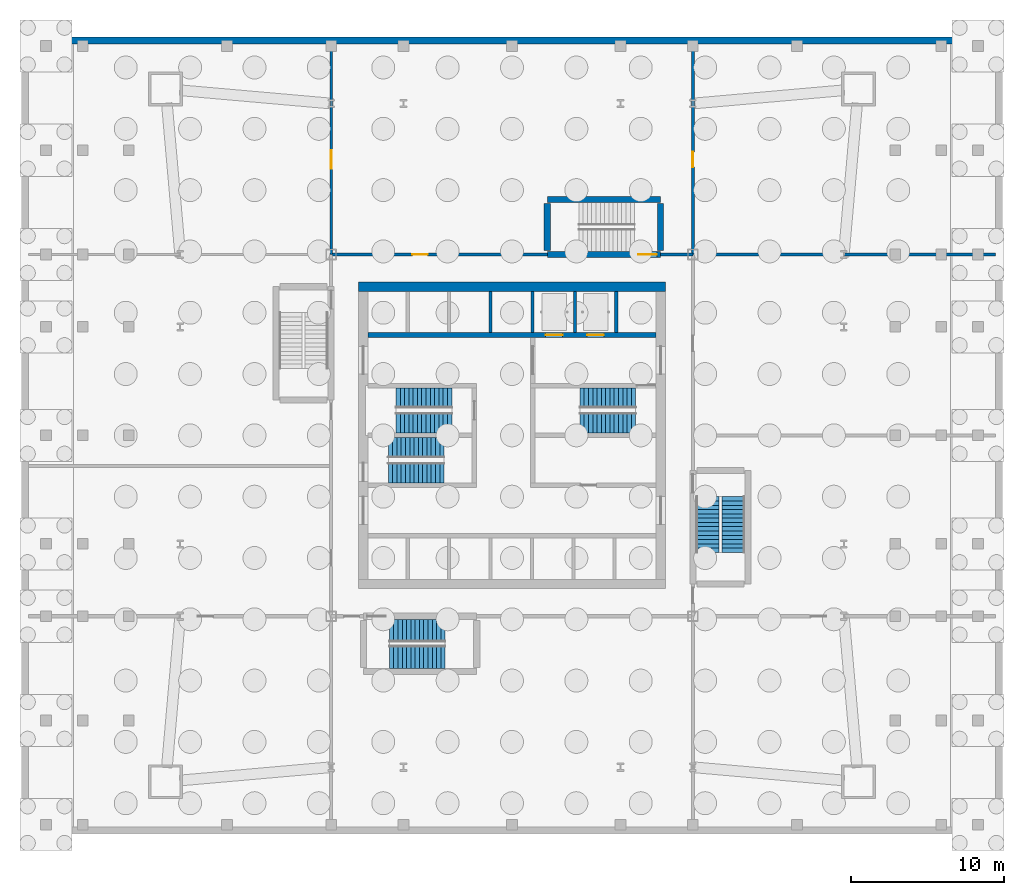
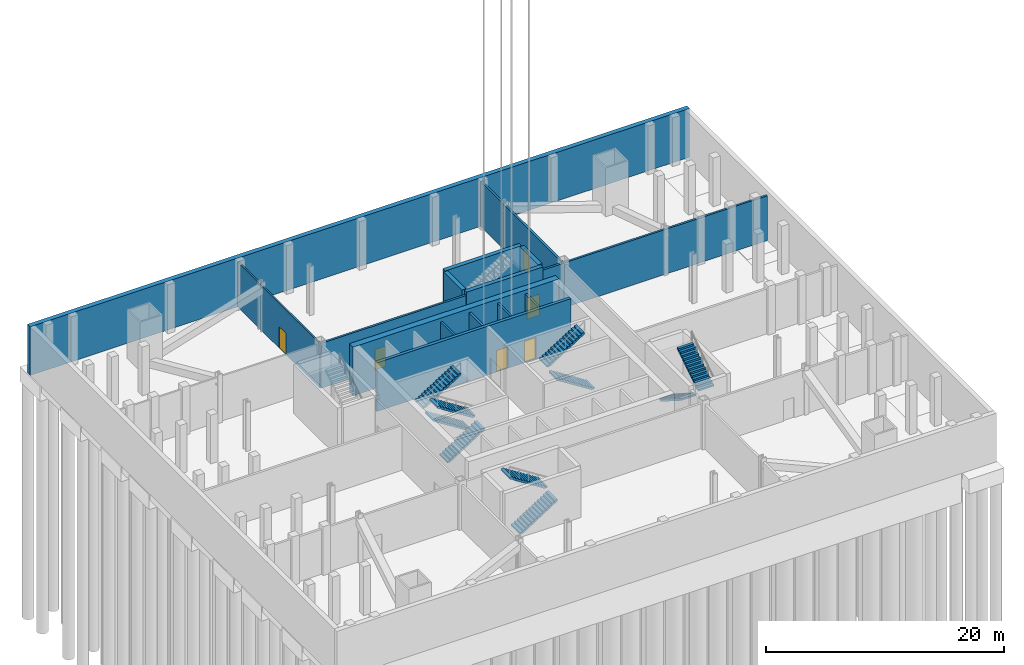
# One storey, part 4 of 8: 16 walls, 10 stair flights, 6 doors, 6 openings, 5 elements without a shape of their own.
"""IFC4 building model written with IfcOpenShell, lengths in metres."""

from ifc_helpers import new_model, si_unit, direction, frame, frame_2d, origin, place, context, subcontext, project, spatial, polyline, rectangle, outline, extrude, material, layer, layer_set, type_object, element, fill, aggregate, save


model = new_model("IFC4")

# Units and contexts
model_context = context("Model", 3, precision=1e-05, world=origin(), true_north=direction((0.0, 1.0)))
body_context = subcontext(model_context, "Body", "Model", "MODEL_VIEW")
ifc_project = project(units=[si_unit("LENGTHUNIT", "METRE"), si_unit("AREAUNIT", "SQUARE_METRE"), si_unit("VOLUMEUNIT", "CUBIC_METRE"), si_unit("PLANEANGLEUNIT", "RADIAN"), si_unit("MASSUNIT", "GRAM", prefix="KILO")], contexts=[model_context])

# Site, building, storey
site_placement = place(None, origin())
site = spatial("IfcSite", under=ifc_project, at=site_placement, CompositionType="ELEMENT")
building_placement = place(site_placement, origin())
building = spatial("IfcBuilding", under=site, at=building_placement, Name="Turquesa Mirador Hotel Tower", CompositionType="ELEMENT")
storey_placement = place(building_placement, frame((0.0, 0.0, -5.0)))
storey = spatial("IfcBuildingStorey", under=building, at=storey_placement, Name="B1", CompositionType="ELEMENT", Elevation=-5.0)

# Wall, openings, doors
ifc_material_1 = material(Name="Concrete C50/60", Category="concrete")
ifc_layer_1 = layer(ifc_material_1, 0.300048828125)
ifc_layer_set_1 = layer_set([ifc_layer_1], Name="CORE INNER WALL 300")
wall_type_1 = type_object("IfcWallType", Name="CORE INNER WALL 300", PredefinedType="SHEAR", material=ifc_layer_set_1)
wall_1_placement = place(storey_placement, frame((45.60009765625, 51.550048828125, 0.0), z_axis=(0.0, 0.0, 1.0), x_axis=(1.0, 0.0, 0.0)))
wall_1 = element("IfcWall", 1, at=wall_1_placement, inside=storey, type_object=wall_type_1, Name="Core wall NL", PredefinedType="SHEAR", context=body_context, shape_type="SweptSolid", body=[
    extrude(rectangle(XDim=18.7998046875, YDim=0.300048828125, at=frame_2d((9.39990234375, 0.0))), origin(), (0.0, 0.0, 1.0), 5.0),
])
opening_1_placement = place(wall_1_placement, frame((11.60009765625, 0.0, 0.0)))
opening_1 = element("IfcOpeningElement", 2, at=opening_1_placement, cuts=wall_1, Name="Opening LD", PredefinedType="OPENING", context=body_context, shape_type="SweptSolid", body=[
    extrude(rectangle(XDim=1.10009765625, YDim=2.199951171875, at=frame_2d((0.550048828125, 1.10009765625))), frame((0.0, 0.159912109375, 0.0), z_axis=(0.0, -1.0, 0.0), x_axis=(1.0, 0.0, 0.0)), (0.0, 0.0, 1.0), 0.320068359375),
])
opening_2_placement = place(wall_1_placement, frame((14.300048828125, 0.0, 0.0)))
opening_2 = element("IfcOpeningElement", 3, at=opening_2_placement, cuts=wall_1, Name="Opening LD", PredefinedType="OPENING", context=body_context, shape_type="SweptSolid", body=[
    extrude(rectangle(XDim=1.10009765625, YDim=2.199951171875, at=frame_2d((0.550048828125, 1.10009765625))), frame((0.0, 0.159912109375, 0.0), z_axis=(0.0, -1.0, 0.0), x_axis=(1.0, 0.0, 0.0)), (0.0, 0.0, 1.0), 0.320068359375),
])
ifc_material_2 = material(Name="Stainless steel lift landing door", Category="steel")
door_type_1 = type_object("IfcDoorType", Name="LIFT LANDING DOOR 1100X2200", OperationType="SLIDING_TO_LEFT", PredefinedType="DOOR", material=ifc_material_2)
door_1_placement = place(opening_1_placement, origin())
door_1 = element("IfcDoor", 4, at=door_1_placement, inside=storey, type_object=door_type_1, Name="Lift S1 landing door", OperationType="SLIDING_TO_LEFT", OverallHeight=2.199951171875, OverallWidth=1.10009765625, PredefinedType="DOOR", context=body_context, shape_type="SweptSolid", body=[
    extrude(rectangle(XDim=1.10009765625, YDim=2.199951171875, at=frame_2d((0.550048828125, 1.10009765625))), frame((0.0, 0.02490234375, 0.0), z_axis=(0.0, -1.0, 0.0), x_axis=(1.0, 0.0, 0.0)), (0.0, 0.0, 1.0), 0.050048828125),
])
fill(opening_1, door_1)
door_2_placement = place(opening_2_placement, origin())
door_2 = element("IfcDoor", 5, at=door_2_placement, inside=storey, type_object=door_type_1, Name="Lift S2 landing door", OperationType="SLIDING_TO_LEFT", OverallHeight=2.199951171875, OverallWidth=1.10009765625, PredefinedType="DOOR", context=body_context, shape_type="SweptSolid", body=[
    extrude(rectangle(XDim=1.10009765625, YDim=2.199951171875, at=frame_2d((0.550048828125, 1.10009765625))), frame((0.0, 0.02490234375, 0.0), z_axis=(0.0, -1.0, 0.0), x_axis=(1.0, 0.0, 0.0)), (0.0, 0.0, 1.0), 0.050048828125),
])
fill(opening_2, door_2)

# Wall
ifc_material_3 = material(Name="Concrete C50/60", Category="concrete")
ifc_layer_2 = layer(ifc_material_3, 0.60009765625)
ifc_layer_set_2 = layer_set([ifc_layer_2], Name="CORE WALL 600")
wall_type_2 = type_object("IfcWallType", Name="CORE WALL 600", PredefinedType="SHEAR", material=ifc_layer_set_2)
wall_2_placement = place(storey_placement, frame((45.0, 54.699951171875, 0.0), z_axis=(0.0, 0.0, 1.0), x_axis=(1.0, 0.0, 0.0)))
element("IfcWall", 6, at=wall_2_placement, inside=storey, type_object=wall_type_2, Name="Core wall N", PredefinedType="SHEAR", context=body_context, shape_type="SweptSolid", body=[
    extrude(rectangle(XDim=20.0, YDim=0.60009765625, at=frame_2d((10.0, 0.0))), origin(), (0.0, 0.0, 1.0), 5.0),
])

# Wall, opening, door
ifc_material_4 = material(Name="Fire-rated gypsum board on steel studs", Category="steel")
ifc_layer_3 = layer(ifc_material_4, 0.199951171875)
ifc_layer_set_3 = layer_set([ifc_layer_3], Name="CORRIDOR WALL 200")
wall_type_3 = type_object("IfcWallType", Name="CORRIDOR WALL 200", PredefinedType="PARTITIONING", material=ifc_layer_set_3)
wall_3_placement = place(storey_placement, frame((43.199951171875, 56.800048828125, 0.0), z_axis=(0.0, 0.0, 1.0), x_axis=(1.0, 0.0, 0.0)))
wall_3 = element("IfcWall", 7, at=wall_3_placement, inside=storey, type_object=wall_type_3, Name="Partition B1 011", PredefinedType="PARTITIONING", context=body_context, shape_type="SweptSolid", body=[
    extrude(rectangle(XDim=14.10009765625, YDim=0.199951171875, at=frame_2d((7.050048828125, 0.0))), origin(), (0.0, 0.0, 1.0), 4.60009765625),
])
opening_3_placement = place(wall_3_placement, frame((5.300048828125, 0.0, 0.0)))
opening_3 = element("IfcOpeningElement", 8, at=opening_3_placement, cuts=wall_3, Name="Opening D05", PredefinedType="OPENING", context=body_context, shape_type="SweptSolid", body=[
    extrude(rectangle(XDim=1.0, YDim=2.10009765625, at=frame_2d((0.5, 1.050048828125))), frame((0.0, 0.10986328125, 0.0), z_axis=(0.0, -1.0, 0.0), x_axis=(1.0, 0.0, 0.0)), (0.0, 0.0, 1.0), 0.219970703125),
])
ifc_material_5 = material(Name="Steel fire door", Category="steel")
door_type_2 = type_object("IfcDoorType", Name="DOOR 1000X2100 SERVICE", OperationType="SINGLE_SWING_LEFT", PredefinedType="DOOR", material=ifc_material_5)
door_3_placement = place(opening_3_placement, origin())
door_3 = element("IfcDoor", 9, at=door_3_placement, inside=storey, type_object=door_type_2, Name="Door B1-08", OperationType="SINGLE_SWING_LEFT", OverallHeight=2.10009765625, OverallWidth=1.0, PredefinedType="DOOR", context=body_context, shape_type="SweptSolid", body=[
    extrude(rectangle(XDim=1.0, YDim=2.10009765625, at=frame_2d((0.5, 1.050048828125))), frame((0.0, 0.02490234375, 0.0), z_axis=(0.0, -1.0, 0.0), x_axis=(1.0, 0.0, 0.0)), (0.0, 0.0, 1.0), 0.050048828125),
])
fill(opening_3, door_3)

# Walls
wall_4_placement = place(storey_placement, frame((64.699951171875, 56.800048828125, 0.0), z_axis=(0.0, 0.0, 1.0), x_axis=(1.0, 0.0, 0.0)))
element("IfcWall", 10, at=wall_4_placement, inside=storey, type_object=wall_type_3, Name="Partition B1 012", PredefinedType="PARTITIONING", context=body_context, shape_type="SweptSolid", body=[
    extrude(rectangle(XDim=2.10009765625, YDim=0.199951171875, at=frame_2d((1.050048828125, 0.0))), origin(), (0.0, 0.0, 1.0), 4.60009765625),
])
ifc_material_6 = material(Name="Fire-rated gypsum board on steel studs", Category="steel")
ifc_layer_4 = layer(ifc_material_6, 0.199951171875)
ifc_layer_set_4 = layer_set([ifc_layer_4], Name="FIRE PARTITION 200")
wall_type_4 = type_object("IfcWallType", Name="FIRE PARTITION 200", PredefinedType="PARTITIONING", material=ifc_layer_set_4)
wall_5_placement = place(storey_placement, frame((66.800048828125, 56.800048828125, 0.0), z_axis=(0.0, 0.0, 1.0), x_axis=(1.0, 0.0, 0.0)))
element("IfcWall", 11, at=wall_5_placement, inside=storey, type_object=wall_type_4, Name="Partition B1 013", PredefinedType="PARTITIONING", context=body_context, shape_type="SweptSolid", body=[
    extrude(rectangle(XDim=19.75, YDim=0.199951171875, at=frame_2d((9.875, 0.0))), origin(), (0.0, 0.0, 1.0), 4.60009765625),
])

# Wall, opening, door
wall_6_placement = place(storey_placement, frame((66.800048828125, 56.800048828125, 0.0), z_axis=(0.0, 0.0, 1.0), x_axis=(0.0, 1.0, 0.0)))
wall_6 = element("IfcWall", 12, at=wall_6_placement, inside=storey, type_object=wall_type_4, Name="Partition B1 030", PredefinedType="PARTITIONING", context=body_context, shape_type="SweptSolid", body=[
    extrude(rectangle(XDim=13.75, YDim=0.199951171875, at=frame_2d((6.875, 0.0))), origin(), (0.0, 0.0, 1.0), 4.60009765625),
])
opening_4_placement = place(wall_6_placement, frame((5.699951171875, 0.0, 0.0)))
opening_4 = element("IfcOpeningElement", 13, at=opening_4_placement, cuts=wall_6, Name="Opening D05", PredefinedType="OPENING", context=body_context, shape_type="SweptSolid", body=[
    extrude(rectangle(XDim=1.0, YDim=2.10009765625, at=frame_2d((0.5, 1.050048828125))), frame((0.0, 0.10986328125, 0.0), z_axis=(0.0, -1.0, 0.0), x_axis=(1.0, 0.0, 0.0)), (0.0, 0.0, 1.0), 0.219970703125),
])
door_4_placement = place(opening_4_placement, origin())
door_4 = element("IfcDoor", 14, at=door_4_placement, inside=storey, type_object=door_type_2, Name="Door B1-07", OperationType="SINGLE_SWING_LEFT", OverallHeight=2.10009765625, OverallWidth=1.0, PredefinedType="DOOR", context=body_context, shape_type="SweptSolid", body=[
    extrude(rectangle(XDim=1.0, YDim=2.10009765625, at=frame_2d((0.5, 1.050048828125))), frame((0.0, 0.02490234375, 0.0), z_axis=(0.0, -1.0, 0.0), x_axis=(1.0, 0.0, 0.0)), (0.0, 0.0, 1.0), 0.050048828125),
])
fill(opening_4, door_4)

# Walls
ifc_material_7 = material(Name="Fire-rated gypsum shaft wall on steel studs", Category="steel")
ifc_layer_5 = layer(ifc_material_7, 0.199951171875)
ifc_layer_set_5 = layer_set([ifc_layer_5], Name="LIFT SHAFT DIVIDER 200")
wall_type_5 = type_object("IfcWallType", Name="LIFT SHAFT DIVIDER 200", PredefinedType="PARTITIONING", material=ifc_layer_set_5)
for number, where, z_axis, x_axis, name in (
    (15, (53.60009765625, 51.699951171875, 0.0), (0.0, 0.0, 1.0), (0.0, 1.0, 0.0), "Lift shaft divider"),
    (16, (59.10009765625, 51.699951171875, 0.0), (0.0, 0.0, 1.0), (0.0, 1.0, 0.0), "Lift shaft divider"),
    (17, (61.800048828125, 51.699951171875, 0.0), (0.0, 0.0, 1.0), (0.0, 1.0, 0.0), "Lift shaft divider"),
    (18, (56.35009765625, 51.699951171875, 0.0), (0.0, 0.0, 1.0), (0.0, 1.0, 0.0), "Lift shaft divider"),
):
    element("IfcWall", number, at=place(storey_placement, frame(where, z_axis=z_axis, x_axis=x_axis)), inside=storey, type_object=wall_type_5, Name=name, PredefinedType="PARTITIONING", context=body_context, shape_type="SweptSolid", body=[
        extrude(rectangle(XDim=2.699951171875, YDim=0.199951171875, at=frame_2d((1.35009765625, 0.0))), origin(), (0.0, 0.0, 1.0), 4.60009765625),
    ])

# Wall, opening, door
ifc_material_8 = material(Name="Gypsum board on steel studs", Category="steel")
ifc_layer_6 = layer(ifc_material_8, 0.14990234375)
ifc_layer_set_6 = layer_set([ifc_layer_6], Name="PARTITION 150")
wall_type_6 = type_object("IfcWallType", Name="PARTITION 150", PredefinedType="PARTITIONING", material=ifc_layer_set_6)
wall_7_placement = place(storey_placement, frame((43.199951171875, 56.800048828125, 0.0), z_axis=(0.0, 0.0, 1.0), x_axis=(0.0, 1.0, 0.0)))
wall_7 = element("IfcWall", 19, at=wall_7_placement, inside=storey, type_object=wall_type_6, Name="Partition B1 022", PredefinedType="PARTITIONING", context=body_context, shape_type="SweptSolid", body=[
    extrude(rectangle(XDim=13.75, YDim=0.14990234375, at=frame_2d((6.875, 0.0))), origin(), (0.0, 0.0, 1.0), 4.60009765625),
])
opening_5_placement = place(wall_7_placement, frame((5.60009765625, 0.0, 0.0)))
opening_5 = element("IfcOpeningElement", 20, at=opening_5_placement, cuts=wall_7, Name="Opening D09", PredefinedType="OPENING", context=body_context, shape_type="SweptSolid", body=[
    extrude(rectangle(XDim=1.199951171875, YDim=2.199951171875, at=frame_2d((0.60009765625, 1.10009765625))), frame((0.0, 0.0849609375, 0.0), z_axis=(0.0, -1.0, 0.0), x_axis=(1.0, 0.0, 0.0)), (0.0, 0.0, 1.0), 0.169921875),
])
ifc_material_9 = material(Name="Timber door", Category="wood")
door_type_3 = type_object("IfcDoorType", Name="DOOR 1200X2200 OFFICE", OperationType="SINGLE_SWING_LEFT", PredefinedType="DOOR", material=ifc_material_9)
door_5_placement = place(opening_5_placement, origin())
door_5 = element("IfcDoor", 21, at=door_5_placement, inside=storey, type_object=door_type_3, Name="Door B1-09", OperationType="SINGLE_SWING_LEFT", OverallHeight=2.199951171875, OverallWidth=1.199951171875, PredefinedType="DOOR", context=body_context, shape_type="SweptSolid", body=[
    extrude(rectangle(XDim=1.199951171875, YDim=2.199951171875, at=frame_2d((0.60009765625, 1.10009765625))), frame((0.0, 0.02490234375, 0.0), z_axis=(0.0, -1.0, 0.0), x_axis=(1.0, 0.0, 0.0)), (0.0, 0.0, 1.0), 0.050048828125),
])
fill(opening_5, door_5)

# Wall
ifc_material_10 = material(Name="Concrete C50/60", Category="concrete")
ifc_layer_7 = layer(ifc_material_10, 0.449951171875)
ifc_layer_set_7 = layer_set([ifc_layer_7], Name="RETAINING WALL 450")
wall_type_7 = type_object("IfcWallType", Name="RETAINING WALL 450", PredefinedType="SOLIDWALL", material=ifc_layer_set_7)
wall_8_placement = place(storey_placement, frame((23.0, 70.77490234375, 0.0), z_axis=(0.0, 0.0, 1.0), x_axis=(1.0, 0.0, 0.0)))
element("IfcWall", 22, at=wall_8_placement, inside=storey, type_object=wall_type_7, Name="Basement retaining wall N", PredefinedType="SOLIDWALL", context=body_context, shape_type="SweptSolid", body=[
    extrude(rectangle(XDim=64.0, YDim=0.449951171875, at=frame_2d((32.0, 0.0))), origin(), (0.0, 0.0, 1.0), 5.0),
])

# Wall, opening, door
ifc_material_11 = material(Name="Concrete C50/60", Category="concrete")
ifc_layer_8 = layer(ifc_material_11, 0.39990234375)
ifc_layer_set_8 = layer_set([ifc_layer_8], Name="STAIR WALL 400")
wall_type_8 = type_object("IfcWallType", Name="STAIR WALL 400", PredefinedType="SHEAR", material=ifc_layer_set_8)
wall_9_placement = place(storey_placement, frame((57.300048828125, 56.800048828125, 0.0), z_axis=(0.0, 0.0, 1.0), x_axis=(1.0, 0.0, 0.0)))
wall_9 = element("IfcWall", 23, at=wall_9_placement, inside=storey, type_object=wall_type_8, Name="Stair wall B1 015", PredefinedType="SHEAR", context=body_context, shape_type="SweptSolid", body=[
    extrude(rectangle(XDim=7.39990234375, YDim=0.39990234375, at=frame_2d((3.699951171875, 0.0))), origin(), (0.0, 0.0, 1.0), 5.0),
])
opening_6_placement = place(wall_9_placement, frame((5.949951171875, 0.0, 0.0)))
opening_6 = element("IfcOpeningElement", 24, at=opening_6_placement, cuts=wall_9, Name="Opening D03", PredefinedType="OPENING", context=body_context, shape_type="SweptSolid", body=[
    extrude(rectangle(XDim=1.199951171875, YDim=2.199951171875, at=frame_2d((0.60009765625, 1.10009765625))), frame((0.0, 0.2099609375, 0.0), z_axis=(0.0, -1.0, 0.0), x_axis=(1.0, 0.0, 0.0)), (0.0, 0.0, 1.0), 0.419921875),
])
ifc_material_12 = material(Name="Steel fire door", Category="steel")
door_type_4 = type_object("IfcDoorType", Name="DOOR 1200X2200 STAIR", OperationType="SINGLE_SWING_LEFT", PredefinedType="DOOR", material=ifc_material_12)
door_6_placement = place(opening_6_placement, origin())
door_6 = element("IfcDoor", 25, at=door_6_placement, inside=storey, type_object=door_type_4, Name="Door B1-PS1", OperationType="SINGLE_SWING_LEFT", OverallHeight=2.199951171875, OverallWidth=1.199951171875, PredefinedType="DOOR", context=body_context, shape_type="SweptSolid", body=[
    extrude(rectangle(XDim=1.199951171875, YDim=2.199951171875, at=frame_2d((0.60009765625, 1.10009765625))), frame((0.0, 0.02490234375, 0.0), z_axis=(0.0, -1.0, 0.0), x_axis=(1.0, 0.0, 0.0)), (0.0, 0.0, 1.0), 0.050048828125),
])
fill(opening_6, door_6)

# Walls
wall_10_placement = place(storey_placement, frame((57.300048828125, 60.39990234375, 0.0), z_axis=(0.0, 0.0, 1.0), x_axis=(1.0, 0.0, 0.0)))
element("IfcWall", 26, at=wall_10_placement, inside=storey, type_object=wall_type_8, Name="Stair wall B1 016", PredefinedType="SHEAR", context=body_context, shape_type="SweptSolid", body=[
    extrude(rectangle(XDim=7.39990234375, YDim=0.39990234375, at=frame_2d((3.699951171875, 0.0))), origin(), (0.0, 0.0, 1.0), 5.0),
])
for number, where, z_axis, x_axis, name in (
    (27, (57.300048828125, 57.070068359375, 0.0), (0.0, 0.0, 1.0), (0.0, 1.0, 0.0), "Stair wall B1 033"),
    (28, (64.699951171875, 57.070068359375, 0.0), (0.0, 0.0, 1.0), (0.0, 1.0, 0.0), "Stair wall B1 034"),
):
    element("IfcWall", number, at=place(storey_placement, frame(where, z_axis=z_axis, x_axis=x_axis)), inside=storey, type_object=wall_type_8, Name=name, PredefinedType="SHEAR", context=body_context, shape_type="SweptSolid", body=[
        extrude(rectangle(XDim=3.059814453125, YDim=0.39990234375, at=frame_2d((1.52978515625, 0.0))), origin(), (0.0, 0.0, 1.0), 5.0),
    ])

# Stair, stair flights
ifc_material_13 = material(Name="Concrete C35/45", Category="concrete")
stair_type_1 = type_object("IfcStairType", Name="ESCAPE STAIR CORE", PredefinedType="HALF_TURN_STAIR", material=ifc_material_13)
stair_1_placement = place(storey_placement, origin())
stair_1 = element("IfcStair", 29, at=stair_1_placement, inside=storey, type_object=stair_type_1, Name="Stair ST1 B1 to L00", PredefinedType="HALF_TURN_STAIR")
ifc_material_14 = material(Name="Concrete C35/45 precast flight", Category="concrete")
stair_flight_type_1 = type_object("IfcStairFlightType", Name="STAIR FLIGHT 1330", PredefinedType="STRAIGHT", material=ifc_material_14)
stair_flight_1_placement = place(storey_placement, frame((51.070068359375, 45.81494140625, 0.0), z_axis=(0.0, 0.0, 1.0), x_axis=(-1.0, 0.0, 0.0)))
stair_flight_1 = element("IfcStairFlight", 30, at=stair_flight_1_placement, type_object=stair_flight_type_1, Name="ST1 flight 1", NumberOfRisers=14, NumberOfTreads=13, PredefinedType="STRAIGHT", RiserHeight=0.178571429, TreadLength=0.28, context=body_context, shape_type="SweptSolid", body=[
    extrude(outline(polyline([(0.0, 0.0), (0.0, 0.178466796875), (0.280029296875, 0.178466796875), (0.280029296875, 0.357177734375), (0.56005859375, 0.357177734375), (0.56005859375, 0.53564453125), (0.840087890625, 0.53564453125), (0.840087890625, 0.71435546875), (1.1201171875, 0.71435546875), (1.1201171875, 0.892822265625), (1.39990234375, 0.892822265625), (1.39990234375, 1.071533203125), (1.679931640625, 1.071533203125), (1.679931640625, 1.25), (1.9599609375, 1.25), (1.9599609375, 1.428466796875), (2.239990234375, 1.428466796875), (2.239990234375, 1.607177734375), (2.52001953125, 1.607177734375), (2.52001953125, 1.78564453125), (2.800048828125, 1.78564453125), (2.800048828125, 1.96435546875), (3.080078125, 1.96435546875), (3.080078125, 2.142822265625), (3.360107421875, 2.142822265625), (3.360107421875, 2.321533203125), (3.639892578125, 2.321533203125), (3.639892578125, 2.5), (3.639892578125, 2.1435546875), (0.27880859375, 0.0), (0.0, 0.0)])), frame((0.0, 0.6650390625, 0.0), z_axis=(0.0, -1.0, 0.0), x_axis=(1.0, 0.0, 0.0)), (0.0, 0.0, 1.0), 1.330078125),
])
stair_flight_2_placement = place(storey_placement, frame((47.429931640625, 47.43505859375, 2.5), z_axis=(0.0, 0.0, 1.0), x_axis=(1.0, 0.0, 0.0)))
stair_flight_2 = element("IfcStairFlight", 31, at=stair_flight_2_placement, type_object=stair_flight_type_1, Name="ST1 flight 2", NumberOfRisers=14, NumberOfTreads=13, PredefinedType="STRAIGHT", RiserHeight=0.178571429, TreadLength=0.28, context=body_context, shape_type="SweptSolid", body=[
    extrude(outline(polyline([(0.0, 0.0), (0.0, 0.178466796875), (0.280029296875, 0.178466796875), (0.280029296875, 0.357177734375), (0.56005859375, 0.357177734375), (0.56005859375, 0.53564453125), (0.840087890625, 0.53564453125), (0.840087890625, 0.71435546875), (1.1201171875, 0.71435546875), (1.1201171875, 0.892822265625), (1.39990234375, 0.892822265625), (1.39990234375, 1.071533203125), (1.679931640625, 1.071533203125), (1.679931640625, 1.25), (1.9599609375, 1.25), (1.9599609375, 1.428466796875), (2.239990234375, 1.428466796875), (2.239990234375, 1.607177734375), (2.52001953125, 1.607177734375), (2.52001953125, 1.78564453125), (2.800048828125, 1.78564453125), (2.800048828125, 1.96435546875), (3.080078125, 1.96435546875), (3.080078125, 2.142822265625), (3.360107421875, 2.142822265625), (3.360107421875, 2.321533203125), (3.639892578125, 2.321533203125), (3.639892578125, 2.5), (3.639892578125, 2.1435546875), (0.27880859375, 0.0), (0.0, 0.0)])), frame((0.0, 0.6650390625, 0.0), z_axis=(0.0, -1.0, 0.0), x_axis=(1.0, 0.0, 0.0)), (0.0, 0.0, 1.0), 1.330078125),
])
aggregate(stair_1, [stair_flight_1, stair_flight_2])

stair_2_placement = place(storey_placement, origin())
stair_2 = element("IfcStair", 32, at=stair_2_placement, inside=storey, type_object=stair_type_1, Name="Stair ST2 B1 to L00", PredefinedType="HALF_TURN_STAIR")
stair_flight_3_placement = place(storey_placement, frame((46.929931640625, 42.56494140625, 0.0), z_axis=(0.0, 0.0, 1.0), x_axis=(1.0, 0.0, 0.0)))
stair_flight_3 = element("IfcStairFlight", 33, at=stair_flight_3_placement, type_object=stair_flight_type_1, Name="ST2 flight 1", NumberOfRisers=14, NumberOfTreads=13, PredefinedType="STRAIGHT", RiserHeight=0.178571429, TreadLength=0.28, context=body_context, shape_type="SweptSolid", body=[
    extrude(outline(polyline([(0.0, 0.0), (0.0, 0.178466796875), (0.280029296875, 0.178466796875), (0.280029296875, 0.357177734375), (0.56005859375, 0.357177734375), (0.56005859375, 0.53564453125), (0.840087890625, 0.53564453125), (0.840087890625, 0.71435546875), (1.1201171875, 0.71435546875), (1.1201171875, 0.892822265625), (1.39990234375, 0.892822265625), (1.39990234375, 1.071533203125), (1.679931640625, 1.071533203125), (1.679931640625, 1.25), (1.9599609375, 1.25), (1.9599609375, 1.428466796875), (2.239990234375, 1.428466796875), (2.239990234375, 1.607177734375), (2.52001953125, 1.607177734375), (2.52001953125, 1.78564453125), (2.800048828125, 1.78564453125), (2.800048828125, 1.96435546875), (3.080078125, 1.96435546875), (3.080078125, 2.142822265625), (3.360107421875, 2.142822265625), (3.360107421875, 2.321533203125), (3.639892578125, 2.321533203125), (3.639892578125, 2.5), (3.639892578125, 2.1435546875), (0.27880859375, 0.0), (0.0, 0.0)])), frame((0.0, 0.6650390625, 0.0), z_axis=(0.0, -1.0, 0.0), x_axis=(1.0, 0.0, 0.0)), (0.0, 0.0, 1.0), 1.330078125),
])
stair_flight_4_placement = place(storey_placement, frame((50.570068359375, 44.18505859375, 2.5), z_axis=(0.0, 0.0, 1.0), x_axis=(-1.0, 0.0, 0.0)))
stair_flight_4 = element("IfcStairFlight", 34, at=stair_flight_4_placement, type_object=stair_flight_type_1, Name="ST2 flight 2", NumberOfRisers=14, NumberOfTreads=13, PredefinedType="STRAIGHT", RiserHeight=0.178571429, TreadLength=0.28, context=body_context, shape_type="SweptSolid", body=[
    extrude(outline(polyline([(0.0, 0.0), (0.0, 0.178466796875), (0.280029296875, 0.178466796875), (0.280029296875, 0.357177734375), (0.56005859375, 0.357177734375), (0.56005859375, 0.53564453125), (0.840087890625, 0.53564453125), (0.840087890625, 0.71435546875), (1.1201171875, 0.71435546875), (1.1201171875, 0.892822265625), (1.39990234375, 0.892822265625), (1.39990234375, 1.071533203125), (1.679931640625, 1.071533203125), (1.679931640625, 1.25), (1.9599609375, 1.25), (1.9599609375, 1.428466796875), (2.239990234375, 1.428466796875), (2.239990234375, 1.607177734375), (2.52001953125, 1.607177734375), (2.52001953125, 1.78564453125), (2.800048828125, 1.78564453125), (2.800048828125, 1.96435546875), (3.080078125, 1.96435546875), (3.080078125, 2.142822265625), (3.360107421875, 2.142822265625), (3.360107421875, 2.321533203125), (3.639892578125, 2.321533203125), (3.639892578125, 2.5), (3.639892578125, 2.1435546875), (0.27880859375, 0.0), (0.0, 0.0)])), frame((0.0, 0.6650390625, 0.0), z_axis=(0.0, -1.0, 0.0), x_axis=(1.0, 0.0, 0.0)), (0.0, 0.0, 1.0), 1.330078125),
])
aggregate(stair_2, [stair_flight_3, stair_flight_4])

stair_3_placement = place(storey_placement, origin())
stair_3 = element("IfcStair", 35, at=stair_3_placement, inside=storey, type_object=stair_type_1, Name="Stair ST3 B1 to L00", PredefinedType="HALF_TURN_STAIR")
stair_flight_5_placement = place(storey_placement, frame((63.070068359375, 45.81494140625, 0.0), z_axis=(0.0, 0.0, 1.0), x_axis=(-1.0, 0.0, 0.0)))
stair_flight_5 = element("IfcStairFlight", 36, at=stair_flight_5_placement, type_object=stair_flight_type_1, Name="ST3 flight 1", NumberOfRisers=14, NumberOfTreads=13, PredefinedType="STRAIGHT", RiserHeight=0.178571429, TreadLength=0.28, context=body_context, shape_type="SweptSolid", body=[
    extrude(outline(polyline([(0.0, 0.0), (0.0, 0.178466796875), (0.280029296875, 0.178466796875), (0.280029296875, 0.357177734375), (0.56005859375, 0.357177734375), (0.56005859375, 0.53564453125), (0.840087890625, 0.53564453125), (0.840087890625, 0.71435546875), (1.1201171875, 0.71435546875), (1.1201171875, 0.892822265625), (1.39990234375, 0.892822265625), (1.39990234375, 1.071533203125), (1.679931640625, 1.071533203125), (1.679931640625, 1.25), (1.9599609375, 1.25), (1.9599609375, 1.428466796875), (2.239990234375, 1.428466796875), (2.239990234375, 1.607177734375), (2.52001953125, 1.607177734375), (2.52001953125, 1.78564453125), (2.800048828125, 1.78564453125), (2.800048828125, 1.96435546875), (3.080078125, 1.96435546875), (3.080078125, 2.142822265625), (3.360107421875, 2.142822265625), (3.360107421875, 2.321533203125), (3.639892578125, 2.321533203125), (3.639892578125, 2.5), (3.639892578125, 2.1435546875), (0.27880859375, 0.0), (0.0, 0.0)])), frame((0.0, 0.6650390625, 0.0), z_axis=(0.0, -1.0, 0.0), x_axis=(1.0, 0.0, 0.0)), (0.0, 0.0, 1.0), 1.330078125),
])
stair_flight_6_placement = place(storey_placement, frame((59.429931640625, 47.43505859375, 2.5), z_axis=(0.0, 0.0, 1.0), x_axis=(1.0, 0.0, 0.0)))
stair_flight_6 = element("IfcStairFlight", 37, at=stair_flight_6_placement, type_object=stair_flight_type_1, Name="ST3 flight 2", NumberOfRisers=14, NumberOfTreads=13, PredefinedType="STRAIGHT", RiserHeight=0.178571429, TreadLength=0.28, context=body_context, shape_type="SweptSolid", body=[
    extrude(outline(polyline([(0.0, 0.0), (0.0, 0.178466796875), (0.280029296875, 0.178466796875), (0.280029296875, 0.357177734375), (0.56005859375, 0.357177734375), (0.56005859375, 0.53564453125), (0.840087890625, 0.53564453125), (0.840087890625, 0.71435546875), (1.1201171875, 0.71435546875), (1.1201171875, 0.892822265625), (1.39990234375, 0.892822265625), (1.39990234375, 1.071533203125), (1.679931640625, 1.071533203125), (1.679931640625, 1.25), (1.9599609375, 1.25), (1.9599609375, 1.428466796875), (2.239990234375, 1.428466796875), (2.239990234375, 1.607177734375), (2.52001953125, 1.607177734375), (2.52001953125, 1.78564453125), (2.800048828125, 1.78564453125), (2.800048828125, 1.96435546875), (3.080078125, 1.96435546875), (3.080078125, 2.142822265625), (3.360107421875, 2.142822265625), (3.360107421875, 2.321533203125), (3.639892578125, 2.321533203125), (3.639892578125, 2.5), (3.639892578125, 2.1435546875), (0.27880859375, 0.0), (0.0, 0.0)])), frame((0.0, 0.6650390625, 0.0), z_axis=(0.0, -1.0, 0.0), x_axis=(1.0, 0.0, 0.0)), (0.0, 0.0, 1.0), 1.330078125),
])
aggregate(stair_3, [stair_flight_5, stair_flight_6])

ifc_material_15 = material(Name="Concrete C35/45", Category="concrete")
stair_type_2 = type_object("IfcStairType", Name="ESCAPE STAIR PODIUM", PredefinedType="HALF_TURN_STAIR", material=ifc_material_15)
stair_4_placement = place(storey_placement, origin())
stair_4 = element("IfcStair", 38, at=stair_4_placement, inside=storey, type_object=stair_type_2, Name="Stair PS2 B1 to L00", PredefinedType="HALF_TURN_STAIR")
ifc_material_16 = material(Name="Concrete C35/45 precast flight", Category="concrete")
stair_flight_type_2 = type_object("IfcStairFlightType", Name="STAIR FLIGHT 1500", PredefinedType="STRAIGHT", material=ifc_material_16)
stair_flight_7_placement = place(storey_placement, frame((47.0, 30.550048828125, 0.0), z_axis=(0.0, 0.0, 1.0), x_axis=(1.0, 0.0, 0.0)))
stair_flight_7 = element("IfcStairFlight", 39, at=stair_flight_7_placement, type_object=stair_flight_type_2, Name="PS2 flight 1", NumberOfRisers=14, NumberOfTreads=13, PredefinedType="STRAIGHT", RiserHeight=0.178571429, TreadLength=0.28, context=body_context, shape_type="SweptSolid", body=[
    extrude(outline(polyline([(0.0, 0.0), (0.0, 0.178466796875), (0.280029296875, 0.178466796875), (0.280029296875, 0.357177734375), (0.56005859375, 0.357177734375), (0.56005859375, 0.53564453125), (0.840087890625, 0.53564453125), (0.840087890625, 0.71435546875), (1.1201171875, 0.71435546875), (1.1201171875, 0.892822265625), (1.39990234375, 0.892822265625), (1.39990234375, 1.071533203125), (1.679931640625, 1.071533203125), (1.679931640625, 1.25), (1.9599609375, 1.25), (1.9599609375, 1.428466796875), (2.239990234375, 1.428466796875), (2.239990234375, 1.607177734375), (2.52001953125, 1.607177734375), (2.52001953125, 1.78564453125), (2.800048828125, 1.78564453125), (2.800048828125, 1.96435546875), (3.080078125, 1.96435546875), (3.080078125, 2.142822265625), (3.360107421875, 2.142822265625), (3.360107421875, 2.321533203125), (3.639892578125, 2.321533203125), (3.639892578125, 2.5), (3.639892578125, 2.1435546875), (0.27880859375, 0.0), (0.0, 0.0)])), frame((0.0, 0.75, 0.0), z_axis=(0.0, -1.0, 0.0), x_axis=(1.0, 0.0, 0.0)), (0.0, 0.0, 1.0), 1.5),
])
stair_flight_8_placement = place(storey_placement, frame((50.639892578125, 32.25, 2.5), z_axis=(0.0, 0.0, 1.0), x_axis=(-1.0, 0.0, 0.0)))
stair_flight_8 = element("IfcStairFlight", 40, at=stair_flight_8_placement, type_object=stair_flight_type_2, Name="PS2 flight 2", NumberOfRisers=14, NumberOfTreads=13, PredefinedType="STRAIGHT", RiserHeight=0.178571429, TreadLength=0.28, context=body_context, shape_type="SweptSolid", body=[
    extrude(outline(polyline([(0.0, 0.0), (0.0, 0.178466796875), (0.280029296875, 0.178466796875), (0.280029296875, 0.357177734375), (0.56005859375, 0.357177734375), (0.56005859375, 0.53564453125), (0.840087890625, 0.53564453125), (0.840087890625, 0.71435546875), (1.1201171875, 0.71435546875), (1.1201171875, 0.892822265625), (1.39990234375, 0.892822265625), (1.39990234375, 1.071533203125), (1.679931640625, 1.071533203125), (1.679931640625, 1.25), (1.9599609375, 1.25), (1.9599609375, 1.428466796875), (2.239990234375, 1.428466796875), (2.239990234375, 1.607177734375), (2.52001953125, 1.607177734375), (2.52001953125, 1.78564453125), (2.800048828125, 1.78564453125), (2.800048828125, 1.96435546875), (3.080078125, 1.96435546875), (3.080078125, 2.142822265625), (3.360107421875, 2.142822265625), (3.360107421875, 2.321533203125), (3.639892578125, 2.321533203125), (3.639892578125, 2.5), (3.639892578125, 2.1435546875), (0.27880859375, 0.0), (0.0, 0.0)])), frame((0.0, 0.75, 0.0), z_axis=(0.0, -1.0, 0.0), x_axis=(1.0, 0.0, 0.0)), (0.0, 0.0, 1.0), 1.5),
])
aggregate(stair_4, [stair_flight_7, stair_flight_8])

stair_5_placement = place(storey_placement, origin())
stair_5 = element("IfcStair", 41, at=stair_5_placement, inside=storey, type_object=stair_type_2, Name="Stair PS3 B1 to L00", PredefinedType="HALF_TURN_STAIR")
stair_flight_9_placement = place(storey_placement, frame((67.75, 41.0, 0.0), z_axis=(0.0, 0.0, 1.0), x_axis=(0.0, -1.0, 0.0)))
stair_flight_9 = element("IfcStairFlight", 42, at=stair_flight_9_placement, type_object=stair_flight_type_2, Name="PS3 flight 1", NumberOfRisers=14, NumberOfTreads=13, PredefinedType="STRAIGHT", RiserHeight=0.178571429, TreadLength=0.28, context=body_context, shape_type="SweptSolid", body=[
    extrude(outline(polyline([(0.0, 0.0), (0.0, 0.178466796875), (0.280029296875, 0.178466796875), (0.280029296875, 0.357177734375), (0.56005859375, 0.357177734375), (0.56005859375, 0.53564453125), (0.840087890625, 0.53564453125), (0.840087890625, 0.71435546875), (1.1201171875, 0.71435546875), (1.1201171875, 0.892822265625), (1.39990234375, 0.892822265625), (1.39990234375, 1.071533203125), (1.679931640625, 1.071533203125), (1.679931640625, 1.25), (1.9599609375, 1.25), (1.9599609375, 1.428466796875), (2.239990234375, 1.428466796875), (2.239990234375, 1.607177734375), (2.52001953125, 1.607177734375), (2.52001953125, 1.78564453125), (2.800048828125, 1.78564453125), (2.800048828125, 1.96435546875), (3.080078125, 1.96435546875), (3.080078125, 2.142822265625), (3.360107421875, 2.142822265625), (3.360107421875, 2.321533203125), (3.639892578125, 2.321533203125), (3.639892578125, 2.5), (3.639892578125, 2.1435546875), (0.27880859375, 0.0), (0.0, 0.0)])), frame((0.0, 0.75, 0.0), z_axis=(0.0, -1.0, 0.0), x_axis=(1.0, 0.0, 0.0)), (0.0, 0.0, 1.0), 1.5),
])
stair_flight_10_placement = place(storey_placement, frame((69.449951171875, 37.360107421875, 2.5), z_axis=(0.0, 0.0, 1.0), x_axis=(0.0, 1.0, 0.0)))
stair_flight_10 = element("IfcStairFlight", 43, at=stair_flight_10_placement, type_object=stair_flight_type_2, Name="PS3 flight 2", NumberOfRisers=14, NumberOfTreads=13, PredefinedType="STRAIGHT", RiserHeight=0.178571429, TreadLength=0.28, context=body_context, shape_type="SweptSolid", body=[
    extrude(outline(polyline([(0.0, 0.0), (0.0, 0.178466796875), (0.280029296875, 0.178466796875), (0.280029296875, 0.357177734375), (0.56005859375, 0.357177734375), (0.56005859375, 0.53564453125), (0.840087890625, 0.53564453125), (0.840087890625, 0.71435546875), (1.1201171875, 0.71435546875), (1.1201171875, 0.892822265625), (1.39990234375, 0.892822265625), (1.39990234375, 1.071533203125), (1.679931640625, 1.071533203125), (1.679931640625, 1.25), (1.9599609375, 1.25), (1.9599609375, 1.428466796875), (2.239990234375, 1.428466796875), (2.239990234375, 1.607177734375), (2.52001953125, 1.607177734375), (2.52001953125, 1.78564453125), (2.800048828125, 1.78564453125), (2.800048828125, 1.96435546875), (3.080078125, 1.96435546875), (3.080078125, 2.142822265625), (3.360107421875, 2.142822265625), (3.360107421875, 2.321533203125), (3.639892578125, 2.321533203125), (3.639892578125, 2.5), (3.639892578125, 2.1435546875), (0.27880859375, 0.0), (0.0, 0.0)])), frame((0.0, 0.75, 0.0), z_axis=(0.0, -1.0, 0.0), x_axis=(1.0, 0.0, 0.0)), (0.0, 0.0, 1.0), 1.5),
])
aggregate(stair_5, [stair_flight_9, stair_flight_10])

save(model, "model.ifc")
